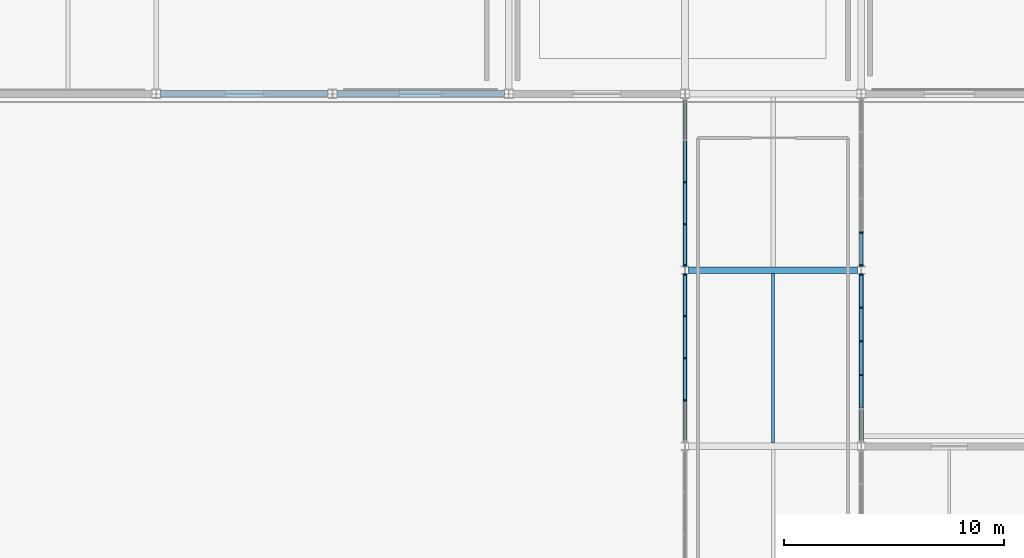
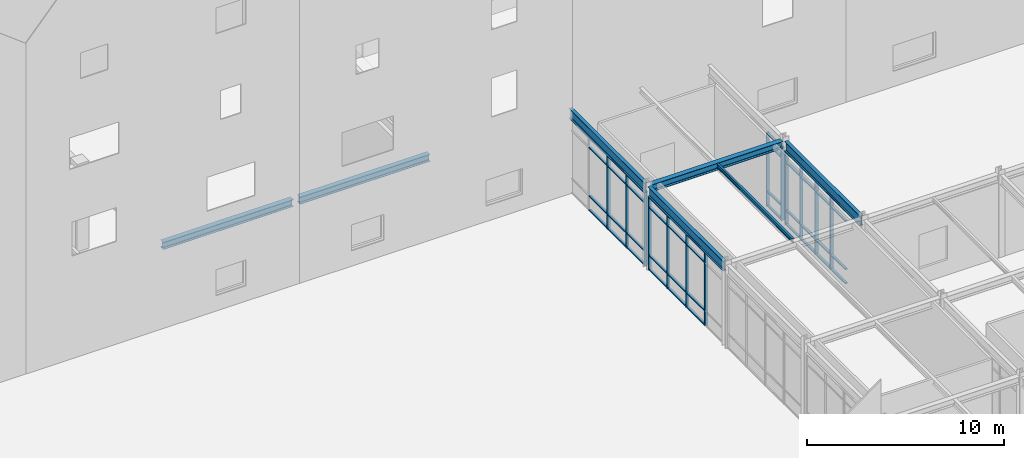
# One storey, part 38 of 119: 56 members, 7 beams, 4 elements without a shape of their own.
"""IFC4 building model written with IfcOpenShell, lengths in metres."""

from ifc_helpers import new_model, si_unit, direction, frame, origin, origin_2d, place, context, subcontext, project, spatial, rectangle, i_section, extrude, material, material_profile, profile_set, type_object, element, aggregate, save


model = new_model("IFC4")

# Units and contexts
model_context = context("Model", 3, precision=1e-05, world=origin(), true_north=direction((0.0, 1.0)))
body_context = subcontext(model_context, "Body", "Model", "MODEL_VIEW")
ifc_project = project(units=[si_unit("LENGTHUNIT", "METRE"), si_unit("AREAUNIT", "SQUARE_METRE"), si_unit("VOLUMEUNIT", "CUBIC_METRE"), si_unit("PLANEANGLEUNIT", "RADIAN"), si_unit("MASSUNIT", "GRAM", prefix="KILO")], contexts=[model_context])

# Site, building, storey
site_placement = place(None, origin())
site = spatial("IfcSite", under=ifc_project, at=site_placement, CompositionType="ELEMENT")
building_placement = place(site_placement, origin())
building = spatial("IfcBuilding", under=site, at=building_placement, Name="Zhaolan Boulevard Law Courts", CompositionType="ELEMENT")
storey_placement = place(building_placement, origin())
storey = spatial("IfcBuildingStorey", under=building, at=storey_placement, Name="L00", CompositionType="ELEMENT", Elevation=0.0)

# Curtain wall, members
ifc_material_1 = material(Name="Thermally broken aluminium and low-E glazing", Category="aluminium")
curtain_wall_type_1 = type_object("IfcCurtainWallType", Name="CURTAIN WALL M22", PredefinedType="USERDEFINED", material=ifc_material_1)
curtain_wall_1_placement = place(storey_placement, origin())
curtain_wall_1 = element("IfcCurtainWall", 1, at=curtain_wall_1_placement, inside=storey, type_object=curtain_wall_type_1, Name="Curtain Wall CW-L00-022", ObjectType="CURTAIN WALL", PredefinedType="USERDEFINED")
ifc_material_2 = material(Name="Fluorocarbon-coated aluminium 6063-T6", Category="aluminium")
ifc_material_profile_1 = material_profile(ifc_material_2, rectangle(XDim=0.179931640625, YDim=0.06494140625, at=origin_2d()), Name="AL65x180")
ifc_profile_set_1 = profile_set([ifc_material_profile_1], Name="Fluorocarbon-coated aluminium 6063-T6")
member_type_1 = type_object("IfcMemberType", Name="CWMULLION 65X180", PredefinedType="MULLION", material=ifc_profile_set_1)
member_1_placement = place(storey_placement, frame((116.0, 53.79052734375, 0.0), z_axis=(0.0, 0.0, 1.0), x_axis=(1.0, 0.0, 0.0)))
member_1 = element("IfcMember", 2, at=member_1_placement, type_object=member_type_1, Name="CW-L00-022 mullion 1", PredefinedType="MULLION", context=body_context, shape_type="SweptSolid", body=[
    extrude(rectangle(XDim=0.179931640625, YDim=0.06494140625, at=origin_2d()), origin(), (0.0, 0.0, 1.0), 4.532958984375),
])
member_2_placement = place(storey_placement, frame((116.0, 51.91162109375, 0.0), z_axis=(0.0, 0.0, 1.0), x_axis=(1.0, 0.0, 0.0)))
member_2 = element("IfcMember", 3, at=member_2_placement, type_object=member_type_1, Name="CW-L00-022 mullion 2", PredefinedType="MULLION", context=body_context, shape_type="SweptSolid", body=[
    extrude(rectangle(XDim=0.179931640625, YDim=0.06494140625, at=origin_2d()), origin(), (0.0, 0.0, 1.0), 4.532958984375),
])
member_3_placement = place(storey_placement, frame((116.0, 50.0, 0.0), z_axis=(0.0, 0.0, 1.0), x_axis=(1.0, 0.0, 0.0)))
member_3 = element("IfcMember", 4, at=member_3_placement, type_object=member_type_1, Name="CW-L00-022 mullion 3", PredefinedType="MULLION", context=body_context, shape_type="SweptSolid", body=[
    extrude(rectangle(XDim=0.179931640625, YDim=0.06494140625, at=origin_2d()), origin(), (0.0, 0.0, 1.0), 4.532958984375),
])
member_4_placement = place(storey_placement, frame((116.0, 48.08837890625, 0.0), z_axis=(0.0, 0.0, 1.0), x_axis=(1.0, 0.0, 0.0)))
member_4 = element("IfcMember", 5, at=member_4_placement, type_object=member_type_1, Name="CW-L00-022 mullion 4", PredefinedType="MULLION", context=body_context, shape_type="SweptSolid", body=[
    extrude(rectangle(XDim=0.179931640625, YDim=0.06494140625, at=origin_2d()), origin(), (0.0, 0.0, 1.0), 4.532958984375),
])

ifc_material_3 = material(Name="Thermally broken aluminium and low-E glazing", Category="aluminium")
curtain_wall_type_2 = type_object("IfcCurtainWallType", Name="CURTAIN WALL M23", PredefinedType="USERDEFINED", material=ifc_material_3)
curtain_wall_2_placement = place(storey_placement, origin())
curtain_wall_2 = element("IfcCurtainWall", 6, at=curtain_wall_2_placement, inside=storey, type_object=curtain_wall_type_2, Name="Curtain Wall CW-L00-023", ObjectType="CURTAIN WALL", PredefinedType="USERDEFINED")
member_5_placement = place(storey_placement, frame((116.0, 57.987548828125, 0.0), z_axis=(0.0, 0.0, 1.0), x_axis=(1.0, 0.0, 0.0)))
member_5 = element("IfcMember", 7, at=member_5_placement, type_object=member_type_1, Name="CW-L00-023 mullion 3", PredefinedType="MULLION", context=body_context, shape_type="SweptSolid", body=[
    extrude(rectangle(XDim=0.179931640625, YDim=0.06494140625, at=origin_2d()), origin(), (0.0, 0.0, 1.0), 4.532958984375),
])
member_6_placement = place(storey_placement, frame((116.0, 56.082275390625, 0.0), z_axis=(0.0, 0.0, 1.0), x_axis=(1.0, 0.0, 0.0)))
member_6 = element("IfcMember", 8, at=member_6_placement, type_object=member_type_1, Name="CW-L00-023 mullion 4", PredefinedType="MULLION", context=body_context, shape_type="SweptSolid", body=[
    extrude(rectangle(XDim=0.179931640625, YDim=0.06494140625, at=origin_2d()), origin(), (0.0, 0.0, 1.0), 4.532958984375),
])
member_7_placement = place(storey_placement, frame((116.0, 54.20947265625, 0.0), z_axis=(0.0, 0.0, 1.0), x_axis=(1.0, 0.0, 0.0)))
member_7 = element("IfcMember", 9, at=member_7_placement, type_object=member_type_1, Name="CW-L00-023 mullion 5", PredefinedType="MULLION", context=body_context, shape_type="SweptSolid", body=[
    extrude(rectangle(XDim=0.179931640625, YDim=0.06494140625, at=origin_2d()), origin(), (0.0, 0.0, 1.0), 4.532958984375),
])

ifc_material_4 = material(Name="Thermally broken aluminium and low-E glazing", Category="aluminium")
curtain_wall_type_3 = type_object("IfcCurtainWallType", Name="CURTAIN WALL M2", PredefinedType="USERDEFINED", material=ifc_material_4)
curtain_wall_3_placement = place(storey_placement, origin())
curtain_wall_3 = element("IfcCurtainWall", 10, at=curtain_wall_3_placement, inside=storey, type_object=curtain_wall_type_3, Name="Curtain Wall CW-L00-026", ObjectType="CURTAIN WALL", PredefinedType="USERDEFINED")
member_8_placement = place(storey_placement, frame((124.0, 49.2353515625, 0.0), z_axis=(0.0, 0.0, 1.0), x_axis=(-1.0, 0.0, 0.0)))
member_8 = element("IfcMember", 11, at=member_8_placement, type_object=member_type_1, Name="CW-L00-026 mullion 3", PredefinedType="MULLION", context=body_context, shape_type="SweptSolid", body=[
    extrude(rectangle(XDim=0.179931640625, YDim=0.06494140625, at=origin_2d()), origin(), (0.0, 0.0, 1.0), 4.532958984375),
])
member_9_placement = place(storey_placement, frame((124.0, 50.7646484375, 0.0), z_axis=(0.0, 0.0, 1.0), x_axis=(-1.0, 0.0, 0.0)))
member_9 = element("IfcMember", 12, at=member_9_placement, type_object=member_type_1, Name="CW-L00-026 mullion 4", PredefinedType="MULLION", context=body_context, shape_type="SweptSolid", body=[
    extrude(rectangle(XDim=0.179931640625, YDim=0.06494140625, at=origin_2d()), origin(), (0.0, 0.0, 1.0), 4.532958984375),
])
member_10_placement = place(storey_placement, frame((124.0, 52.293701171875, 0.0), z_axis=(0.0, 0.0, 1.0), x_axis=(-1.0, 0.0, 0.0)))
member_10 = element("IfcMember", 13, at=member_10_placement, type_object=member_type_1, Name="CW-L00-026 mullion 5", PredefinedType="MULLION", context=body_context, shape_type="SweptSolid", body=[
    extrude(rectangle(XDim=0.179931640625, YDim=0.06494140625, at=origin_2d()), origin(), (0.0, 0.0, 1.0), 4.532958984375),
])
member_11_placement = place(storey_placement, frame((124.0, 53.79052734375, 0.0), z_axis=(0.0, 0.0, 1.0), x_axis=(-1.0, 0.0, 0.0)))
member_11 = element("IfcMember", 14, at=member_11_placement, type_object=member_type_1, Name="CW-L00-026 mullion 6", PredefinedType="MULLION", context=body_context, shape_type="SweptSolid", body=[
    extrude(rectangle(XDim=0.179931640625, YDim=0.06494140625, at=origin_2d()), origin(), (0.0, 0.0, 1.0), 4.532958984375),
])

ifc_material_5 = material(Name="Thermally broken aluminium and low-E glazing", Category="aluminium")
curtain_wall_type_4 = type_object("IfcCurtainWallType", Name="CURTAIN WALL M3", PredefinedType="USERDEFINED", material=ifc_material_5)
curtain_wall_4_placement = place(storey_placement, origin())
curtain_wall_4 = element("IfcCurtainWall", 15, at=curtain_wall_4_placement, inside=storey, type_object=curtain_wall_type_4, Name="Curtain Wall CW-L00-027", ObjectType="CURTAIN WALL", PredefinedType="USERDEFINED")
member_12_placement = place(storey_placement, frame((124.0, 54.20947265625, 0.0), z_axis=(0.0, 0.0, 1.0), x_axis=(-1.0, 0.0, 0.0)))
member_12 = element("IfcMember", 16, at=member_12_placement, type_object=member_type_1, Name="CW-L00-027 mullion 1", PredefinedType="MULLION", context=body_context, shape_type="SweptSolid", body=[
    extrude(rectangle(XDim=0.179931640625, YDim=0.06494140625, at=origin_2d()), origin(), (0.0, 0.0, 1.0), 4.532958984375),
])
member_13_placement = place(storey_placement, frame((124.0, 55.701171875, 0.0), z_axis=(0.0, 0.0, 1.0), x_axis=(-1.0, 0.0, 0.0)))
member_13 = element("IfcMember", 17, at=member_13_placement, type_object=member_type_1, Name="CW-L00-027 mullion 2", PredefinedType="MULLION", context=body_context, shape_type="SweptSolid", body=[
    extrude(rectangle(XDim=0.179931640625, YDim=0.06494140625, at=origin_2d()), origin(), (0.0, 0.0, 1.0), 4.532958984375),
])

# Member
ifc_material_6 = material(Name="Fluorocarbon-coated aluminium 6063-T6", Category="aluminium")
ifc_material_profile_2 = material_profile(ifc_material_6, rectangle(XDim=0.139892578125, YDim=0.06494140625, at=origin_2d()), Name="AL65x140")
ifc_profile_set_2 = profile_set([ifc_material_profile_2], Name="Fluorocarbon-coated aluminium 6063-T6")
member_type_2 = type_object("IfcMemberType", Name="CWTRANSOM 65X140", PredefinedType="USERDEFINED", material=ifc_profile_set_2)
member_14_placement = place(storey_placement, frame((116.0, 53.758056640625, 0.032470703125), z_axis=(0.0, -1.0, 0.0), x_axis=(1.0, 0.0, 0.0)))
member_14 = element("IfcMember", 18, at=member_14_placement, type_object=member_type_2, Name="CW-L00-022 transom 1.1", ObjectType="TRANSOM", PredefinedType="USERDEFINED", context=body_context, shape_type="SweptSolid", body=[
    extrude(rectangle(XDim=0.139892578125, YDim=0.06494140625, at=origin_2d()), origin(), (0.0, 0.0, 1.0), 1.81396484375),
])

member_15_placement = place(storey_placement, frame((116.0, 53.758056640625, 0.89990234375), z_axis=(0.0, -1.0, 0.0), x_axis=(1.0, 0.0, 0.0)))
member_15 = element("IfcMember", 19, at=member_15_placement, type_object=member_type_2, Name="CW-L00-022 transom 1.2", ObjectType="TRANSOM", PredefinedType="USERDEFINED", context=body_context, shape_type="SweptSolid", body=[
    extrude(rectangle(XDim=0.139892578125, YDim=0.06494140625, at=origin_2d()), origin(), (0.0, 0.0, 1.0), 1.81396484375),
])

member_16_placement = place(storey_placement, frame((116.0, 53.758056640625, 3.883056640625), z_axis=(0.0, -1.0, 0.0), x_axis=(1.0, 0.0, 0.0)))
member_16 = element("IfcMember", 20, at=member_16_placement, type_object=member_type_2, Name="CW-L00-022 transom 1.3", ObjectType="TRANSOM", PredefinedType="USERDEFINED", context=body_context, shape_type="SweptSolid", body=[
    extrude(rectangle(XDim=0.139892578125, YDim=0.06494140625, at=origin_2d()), origin(), (0.0, 0.0, 1.0), 1.81396484375),
])

member_17_placement = place(storey_placement, frame((116.0, 53.758056640625, 4.50048828125), z_axis=(0.0, -1.0, 0.0), x_axis=(1.0, 0.0, 0.0)))
member_17 = element("IfcMember", 21, at=member_17_placement, type_object=member_type_2, Name="CW-L00-022 transom 1.4", ObjectType="TRANSOM", PredefinedType="USERDEFINED", context=body_context, shape_type="SweptSolid", body=[
    extrude(rectangle(XDim=0.139892578125, YDim=0.06494140625, at=origin_2d()), origin(), (0.0, 0.0, 1.0), 1.81396484375),
])

member_18_placement = place(storey_placement, frame((116.0, 51.87890625, 0.032470703125), z_axis=(0.0, -1.0, 0.0), x_axis=(1.0, 0.0, 0.0)))
member_18 = element("IfcMember", 22, at=member_18_placement, type_object=member_type_2, Name="CW-L00-022 transom 2.1", ObjectType="TRANSOM", PredefinedType="USERDEFINED", context=body_context, shape_type="SweptSolid", body=[
    extrude(rectangle(XDim=0.139892578125, YDim=0.06494140625, at=origin_2d()), origin(), (0.0, 0.0, 1.0), 1.846435546875),
])

member_19_placement = place(storey_placement, frame((116.0, 51.87890625, 0.89990234375), z_axis=(0.0, -1.0, 0.0), x_axis=(1.0, 0.0, 0.0)))
member_19 = element("IfcMember", 23, at=member_19_placement, type_object=member_type_2, Name="CW-L00-022 transom 2.2", ObjectType="TRANSOM", PredefinedType="USERDEFINED", context=body_context, shape_type="SweptSolid", body=[
    extrude(rectangle(XDim=0.139892578125, YDim=0.06494140625, at=origin_2d()), origin(), (0.0, 0.0, 1.0), 1.846435546875),
])

member_20_placement = place(storey_placement, frame((116.0, 51.87890625, 3.883056640625), z_axis=(0.0, -1.0, 0.0), x_axis=(1.0, 0.0, 0.0)))
member_20 = element("IfcMember", 24, at=member_20_placement, type_object=member_type_2, Name="CW-L00-022 transom 2.3", ObjectType="TRANSOM", PredefinedType="USERDEFINED", context=body_context, shape_type="SweptSolid", body=[
    extrude(rectangle(XDim=0.139892578125, YDim=0.06494140625, at=origin_2d()), origin(), (0.0, 0.0, 1.0), 1.846435546875),
])

member_21_placement = place(storey_placement, frame((116.0, 51.87890625, 4.50048828125), z_axis=(0.0, -1.0, 0.0), x_axis=(1.0, 0.0, 0.0)))
member_21 = element("IfcMember", 25, at=member_21_placement, type_object=member_type_2, Name="CW-L00-022 transom 2.4", ObjectType="TRANSOM", PredefinedType="USERDEFINED", context=body_context, shape_type="SweptSolid", body=[
    extrude(rectangle(XDim=0.139892578125, YDim=0.06494140625, at=origin_2d()), origin(), (0.0, 0.0, 1.0), 1.846435546875),
])

member_22_placement = place(storey_placement, frame((116.0, 49.967529296875, 0.032470703125), z_axis=(0.0, -1.0, 0.0), x_axis=(1.0, 0.0, 0.0)))
member_22 = element("IfcMember", 26, at=member_22_placement, type_object=member_type_2, Name="CW-L00-022 transom 3.1", ObjectType="TRANSOM", PredefinedType="USERDEFINED", context=body_context, shape_type="SweptSolid", body=[
    extrude(rectangle(XDim=0.139892578125, YDim=0.06494140625, at=origin_2d()), origin(), (0.0, 0.0, 1.0), 1.846435546875),
])

member_23_placement = place(storey_placement, frame((116.0, 49.967529296875, 0.89990234375), z_axis=(0.0, -1.0, 0.0), x_axis=(1.0, 0.0, 0.0)))
member_23 = element("IfcMember", 27, at=member_23_placement, type_object=member_type_2, Name="CW-L00-022 transom 3.2", ObjectType="TRANSOM", PredefinedType="USERDEFINED", context=body_context, shape_type="SweptSolid", body=[
    extrude(rectangle(XDim=0.139892578125, YDim=0.06494140625, at=origin_2d()), origin(), (0.0, 0.0, 1.0), 1.846435546875),
])

member_24_placement = place(storey_placement, frame((116.0, 49.967529296875, 3.883056640625), z_axis=(0.0, -1.0, 0.0), x_axis=(1.0, 0.0, 0.0)))
member_24 = element("IfcMember", 28, at=member_24_placement, type_object=member_type_2, Name="CW-L00-022 transom 3.3", ObjectType="TRANSOM", PredefinedType="USERDEFINED", context=body_context, shape_type="SweptSolid", body=[
    extrude(rectangle(XDim=0.139892578125, YDim=0.06494140625, at=origin_2d()), origin(), (0.0, 0.0, 1.0), 1.846435546875),
])

member_25_placement = place(storey_placement, frame((116.0, 49.967529296875, 4.50048828125), z_axis=(0.0, -1.0, 0.0), x_axis=(1.0, 0.0, 0.0)))
member_25 = element("IfcMember", 29, at=member_25_placement, type_object=member_type_2, Name="CW-L00-022 transom 3.4", ObjectType="TRANSOM", PredefinedType="USERDEFINED", context=body_context, shape_type="SweptSolid", body=[
    extrude(rectangle(XDim=0.139892578125, YDim=0.06494140625, at=origin_2d()), origin(), (0.0, 0.0, 1.0), 1.846435546875),
])

aggregate(curtain_wall_1, [member_1, member_2, member_3, member_4, member_14, member_15, member_16, member_17, member_18, member_19, member_20, member_21, member_22, member_23, member_24, member_25])

member_26_placement = place(storey_placement, frame((116.0, 59.8603515625, 0.032470703125), z_axis=(0.0, -1.0, 0.0), x_axis=(1.0, 0.0, 0.0)))
member_26 = element("IfcMember", 30, at=member_26_placement, type_object=member_type_2, Name="CW-L00-023 transom 2.1", ObjectType="TRANSOM", PredefinedType="USERDEFINED", context=body_context, shape_type="SweptSolid", body=[
    extrude(rectangle(XDim=0.139892578125, YDim=0.06494140625, at=origin_2d()), origin(), (0.0, 0.0, 1.0), 1.84033203125),
])

member_27_placement = place(storey_placement, frame((116.0, 59.8603515625, 0.89990234375), z_axis=(0.0, -1.0, 0.0), x_axis=(1.0, 0.0, 0.0)))
member_27 = element("IfcMember", 31, at=member_27_placement, type_object=member_type_2, Name="CW-L00-023 transom 2.2", ObjectType="TRANSOM", PredefinedType="USERDEFINED", context=body_context, shape_type="SweptSolid", body=[
    extrude(rectangle(XDim=0.139892578125, YDim=0.06494140625, at=origin_2d()), origin(), (0.0, 0.0, 1.0), 1.84033203125),
])

member_28_placement = place(storey_placement, frame((116.0, 59.8603515625, 3.883056640625), z_axis=(0.0, -1.0, 0.0), x_axis=(1.0, 0.0, 0.0)))
member_28 = element("IfcMember", 32, at=member_28_placement, type_object=member_type_2, Name="CW-L00-023 transom 2.3", ObjectType="TRANSOM", PredefinedType="USERDEFINED", context=body_context, shape_type="SweptSolid", body=[
    extrude(rectangle(XDim=0.139892578125, YDim=0.06494140625, at=origin_2d()), origin(), (0.0, 0.0, 1.0), 1.84033203125),
])

member_29_placement = place(storey_placement, frame((116.0, 57.955078125, 0.032470703125), z_axis=(0.0, -1.0, 0.0), x_axis=(1.0, 0.0, 0.0)))
member_29 = element("IfcMember", 33, at=member_29_placement, type_object=member_type_2, Name="CW-L00-023 transom 3.1", ObjectType="TRANSOM", PredefinedType="USERDEFINED", context=body_context, shape_type="SweptSolid", body=[
    extrude(rectangle(XDim=0.139892578125, YDim=0.06494140625, at=origin_2d()), origin(), (0.0, 0.0, 1.0), 1.84033203125),
])

member_30_placement = place(storey_placement, frame((116.0, 57.955078125, 0.89990234375), z_axis=(0.0, -1.0, 0.0), x_axis=(1.0, 0.0, 0.0)))
member_30 = element("IfcMember", 34, at=member_30_placement, type_object=member_type_2, Name="CW-L00-023 transom 3.2", ObjectType="TRANSOM", PredefinedType="USERDEFINED", context=body_context, shape_type="SweptSolid", body=[
    extrude(rectangle(XDim=0.139892578125, YDim=0.06494140625, at=origin_2d()), origin(), (0.0, 0.0, 1.0), 1.84033203125),
])

member_31_placement = place(storey_placement, frame((116.0, 57.955078125, 3.883056640625), z_axis=(0.0, -1.0, 0.0), x_axis=(1.0, 0.0, 0.0)))
member_31 = element("IfcMember", 35, at=member_31_placement, type_object=member_type_2, Name="CW-L00-023 transom 3.3", ObjectType="TRANSOM", PredefinedType="USERDEFINED", context=body_context, shape_type="SweptSolid", body=[
    extrude(rectangle(XDim=0.139892578125, YDim=0.06494140625, at=origin_2d()), origin(), (0.0, 0.0, 1.0), 1.84033203125),
])

member_32_placement = place(storey_placement, frame((116.0, 57.955078125, 4.50048828125), z_axis=(0.0, -1.0, 0.0), x_axis=(1.0, 0.0, 0.0)))
member_32 = element("IfcMember", 36, at=member_32_placement, type_object=member_type_2, Name="CW-L00-023 transom 3.4", ObjectType="TRANSOM", PredefinedType="USERDEFINED", context=body_context, shape_type="SweptSolid", body=[
    extrude(rectangle(XDim=0.139892578125, YDim=0.06494140625, at=origin_2d()), origin(), (0.0, 0.0, 1.0), 1.84033203125),
])

member_33_placement = place(storey_placement, frame((116.0, 56.0498046875, 0.032470703125), z_axis=(0.0, -1.0, 0.0), x_axis=(1.0, 0.0, 0.0)))
member_33 = element("IfcMember", 37, at=member_33_placement, type_object=member_type_2, Name="CW-L00-023 transom 4.1", ObjectType="TRANSOM", PredefinedType="USERDEFINED", context=body_context, shape_type="SweptSolid", body=[
    extrude(rectangle(XDim=0.139892578125, YDim=0.06494140625, at=origin_2d()), origin(), (0.0, 0.0, 1.0), 1.807861328125),
])

member_34_placement = place(storey_placement, frame((116.0, 56.0498046875, 0.89990234375), z_axis=(0.0, -1.0, 0.0), x_axis=(1.0, 0.0, 0.0)))
member_34 = element("IfcMember", 38, at=member_34_placement, type_object=member_type_2, Name="CW-L00-023 transom 4.2", ObjectType="TRANSOM", PredefinedType="USERDEFINED", context=body_context, shape_type="SweptSolid", body=[
    extrude(rectangle(XDim=0.139892578125, YDim=0.06494140625, at=origin_2d()), origin(), (0.0, 0.0, 1.0), 1.807861328125),
])

member_35_placement = place(storey_placement, frame((116.0, 56.0498046875, 3.883056640625), z_axis=(0.0, -1.0, 0.0), x_axis=(1.0, 0.0, 0.0)))
member_35 = element("IfcMember", 39, at=member_35_placement, type_object=member_type_2, Name="CW-L00-023 transom 4.3", ObjectType="TRANSOM", PredefinedType="USERDEFINED", context=body_context, shape_type="SweptSolid", body=[
    extrude(rectangle(XDim=0.139892578125, YDim=0.06494140625, at=origin_2d()), origin(), (0.0, 0.0, 1.0), 1.807861328125),
])

member_36_placement = place(storey_placement, frame((116.0, 56.0498046875, 4.50048828125), z_axis=(0.0, -1.0, 0.0), x_axis=(1.0, 0.0, 0.0)))
member_36 = element("IfcMember", 40, at=member_36_placement, type_object=member_type_2, Name="CW-L00-023 transom 4.4", ObjectType="TRANSOM", PredefinedType="USERDEFINED", context=body_context, shape_type="SweptSolid", body=[
    extrude(rectangle(XDim=0.139892578125, YDim=0.06494140625, at=origin_2d()), origin(), (0.0, 0.0, 1.0), 1.807861328125),
])

aggregate(curtain_wall_2, [member_5, member_6, member_7, member_26, member_27, member_28, member_29, member_30, member_31, member_32, member_33, member_34, member_35, member_36])

member_37_placement = place(storey_placement, frame((124.0, 47.73876953125, 0.032470703125), z_axis=(0.0, 1.0, 0.0), x_axis=(-1.0, 0.0, 0.0)))
member_37 = element("IfcMember", 41, at=member_37_placement, type_object=member_type_2, Name="CW-L00-026 transom 2.1", ObjectType="TRANSOM", PredefinedType="USERDEFINED", context=body_context, shape_type="SweptSolid", body=[
    extrude(rectangle(XDim=0.139892578125, YDim=0.06494140625, at=origin_2d()), origin(), (0.0, 0.0, 1.0), 1.464111328125),
])

member_38_placement = place(storey_placement, frame((124.0, 47.73876953125, 0.89990234375), z_axis=(0.0, 1.0, 0.0), x_axis=(-1.0, 0.0, 0.0)))
member_38 = element("IfcMember", 42, at=member_38_placement, type_object=member_type_2, Name="CW-L00-026 transom 2.2", ObjectType="TRANSOM", PredefinedType="USERDEFINED", context=body_context, shape_type="SweptSolid", body=[
    extrude(rectangle(XDim=0.139892578125, YDim=0.06494140625, at=origin_2d()), origin(), (0.0, 0.0, 1.0), 1.464111328125),
])

member_39_placement = place(storey_placement, frame((124.0, 47.73876953125, 3.883056640625), z_axis=(0.0, 1.0, 0.0), x_axis=(-1.0, 0.0, 0.0)))
member_39 = element("IfcMember", 43, at=member_39_placement, type_object=member_type_2, Name="CW-L00-026 transom 2.3", ObjectType="TRANSOM", PredefinedType="USERDEFINED", context=body_context, shape_type="SweptSolid", body=[
    extrude(rectangle(XDim=0.139892578125, YDim=0.06494140625, at=origin_2d()), origin(), (0.0, 0.0, 1.0), 1.464111328125),
])

member_40_placement = place(storey_placement, frame((124.0, 47.73876953125, 4.50048828125), z_axis=(0.0, 1.0, 0.0), x_axis=(-1.0, 0.0, 0.0)))
member_40 = element("IfcMember", 44, at=member_40_placement, type_object=member_type_2, Name="CW-L00-026 transom 2.4", ObjectType="TRANSOM", PredefinedType="USERDEFINED", context=body_context, shape_type="SweptSolid", body=[
    extrude(rectangle(XDim=0.139892578125, YDim=0.06494140625, at=origin_2d()), origin(), (0.0, 0.0, 1.0), 1.464111328125),
])

member_41_placement = place(storey_placement, frame((124.0, 49.267822265625, 0.032470703125), z_axis=(0.0, 1.0, 0.0), x_axis=(-1.0, 0.0, 0.0)))
member_41 = element("IfcMember", 45, at=member_41_placement, type_object=member_type_2, Name="CW-L00-026 transom 3.1", ObjectType="TRANSOM", PredefinedType="USERDEFINED", context=body_context, shape_type="SweptSolid", body=[
    extrude(rectangle(XDim=0.139892578125, YDim=0.06494140625, at=origin_2d()), origin(), (0.0, 0.0, 1.0), 1.46435546875),
])

member_42_placement = place(storey_placement, frame((124.0, 49.267822265625, 0.89990234375), z_axis=(0.0, 1.0, 0.0), x_axis=(-1.0, 0.0, 0.0)))
member_42 = element("IfcMember", 46, at=member_42_placement, type_object=member_type_2, Name="CW-L00-026 transom 3.2", ObjectType="TRANSOM", PredefinedType="USERDEFINED", context=body_context, shape_type="SweptSolid", body=[
    extrude(rectangle(XDim=0.139892578125, YDim=0.06494140625, at=origin_2d()), origin(), (0.0, 0.0, 1.0), 1.46435546875),
])

member_43_placement = place(storey_placement, frame((124.0, 49.267822265625, 3.883056640625), z_axis=(0.0, 1.0, 0.0), x_axis=(-1.0, 0.0, 0.0)))
member_43 = element("IfcMember", 47, at=member_43_placement, type_object=member_type_2, Name="CW-L00-026 transom 3.3", ObjectType="TRANSOM", PredefinedType="USERDEFINED", context=body_context, shape_type="SweptSolid", body=[
    extrude(rectangle(XDim=0.139892578125, YDim=0.06494140625, at=origin_2d()), origin(), (0.0, 0.0, 1.0), 1.46435546875),
])

member_44_placement = place(storey_placement, frame((124.0, 49.267822265625, 4.50048828125), z_axis=(0.0, 1.0, 0.0), x_axis=(-1.0, 0.0, 0.0)))
member_44 = element("IfcMember", 48, at=member_44_placement, type_object=member_type_2, Name="CW-L00-026 transom 3.4", ObjectType="TRANSOM", PredefinedType="USERDEFINED", context=body_context, shape_type="SweptSolid", body=[
    extrude(rectangle(XDim=0.139892578125, YDim=0.06494140625, at=origin_2d()), origin(), (0.0, 0.0, 1.0), 1.46435546875),
])

member_45_placement = place(storey_placement, frame((124.0, 50.797119140625, 0.032470703125), z_axis=(0.0, 1.0, 0.0), x_axis=(-1.0, 0.0, 0.0)))
member_45 = element("IfcMember", 49, at=member_45_placement, type_object=member_type_2, Name="CW-L00-026 transom 4.1", ObjectType="TRANSOM", PredefinedType="USERDEFINED", context=body_context, shape_type="SweptSolid", body=[
    extrude(rectangle(XDim=0.139892578125, YDim=0.06494140625, at=origin_2d()), origin(), (0.0, 0.0, 1.0), 1.464111328125),
])

member_46_placement = place(storey_placement, frame((124.0, 50.797119140625, 0.89990234375), z_axis=(0.0, 1.0, 0.0), x_axis=(-1.0, 0.0, 0.0)))
member_46 = element("IfcMember", 50, at=member_46_placement, type_object=member_type_2, Name="CW-L00-026 transom 4.2", ObjectType="TRANSOM", PredefinedType="USERDEFINED", context=body_context, shape_type="SweptSolid", body=[
    extrude(rectangle(XDim=0.139892578125, YDim=0.06494140625, at=origin_2d()), origin(), (0.0, 0.0, 1.0), 1.464111328125),
])

member_47_placement = place(storey_placement, frame((124.0, 50.797119140625, 3.883056640625), z_axis=(0.0, 1.0, 0.0), x_axis=(-1.0, 0.0, 0.0)))
member_47 = element("IfcMember", 51, at=member_47_placement, type_object=member_type_2, Name="CW-L00-026 transom 4.3", ObjectType="TRANSOM", PredefinedType="USERDEFINED", context=body_context, shape_type="SweptSolid", body=[
    extrude(rectangle(XDim=0.139892578125, YDim=0.06494140625, at=origin_2d()), origin(), (0.0, 0.0, 1.0), 1.464111328125),
])

member_48_placement = place(storey_placement, frame((124.0, 50.797119140625, 4.50048828125), z_axis=(0.0, 1.0, 0.0), x_axis=(-1.0, 0.0, 0.0)))
member_48 = element("IfcMember", 52, at=member_48_placement, type_object=member_type_2, Name="CW-L00-026 transom 4.4", ObjectType="TRANSOM", PredefinedType="USERDEFINED", context=body_context, shape_type="SweptSolid", body=[
    extrude(rectangle(XDim=0.139892578125, YDim=0.06494140625, at=origin_2d()), origin(), (0.0, 0.0, 1.0), 1.464111328125),
])

member_49_placement = place(storey_placement, frame((124.0, 52.326416015625, 0.032470703125), z_axis=(0.0, 1.0, 0.0), x_axis=(-1.0, 0.0, 0.0)))
member_49 = element("IfcMember", 53, at=member_49_placement, type_object=member_type_2, Name="CW-L00-026 transom 5.1", ObjectType="TRANSOM", PredefinedType="USERDEFINED", context=body_context, shape_type="SweptSolid", body=[
    extrude(rectangle(XDim=0.139892578125, YDim=0.06494140625, at=origin_2d()), origin(), (0.0, 0.0, 1.0), 1.431640625),
])

member_50_placement = place(storey_placement, frame((124.0, 52.326416015625, 0.89990234375), z_axis=(0.0, 1.0, 0.0), x_axis=(-1.0, 0.0, 0.0)))
member_50 = element("IfcMember", 54, at=member_50_placement, type_object=member_type_2, Name="CW-L00-026 transom 5.2", ObjectType="TRANSOM", PredefinedType="USERDEFINED", context=body_context, shape_type="SweptSolid", body=[
    extrude(rectangle(XDim=0.139892578125, YDim=0.06494140625, at=origin_2d()), origin(), (0.0, 0.0, 1.0), 1.431640625),
])

member_51_placement = place(storey_placement, frame((124.0, 52.326416015625, 3.883056640625), z_axis=(0.0, 1.0, 0.0), x_axis=(-1.0, 0.0, 0.0)))
member_51 = element("IfcMember", 55, at=member_51_placement, type_object=member_type_2, Name="CW-L00-026 transom 5.3", ObjectType="TRANSOM", PredefinedType="USERDEFINED", context=body_context, shape_type="SweptSolid", body=[
    extrude(rectangle(XDim=0.139892578125, YDim=0.06494140625, at=origin_2d()), origin(), (0.0, 0.0, 1.0), 1.431640625),
])

member_52_placement = place(storey_placement, frame((124.0, 52.326416015625, 4.50048828125), z_axis=(0.0, 1.0, 0.0), x_axis=(-1.0, 0.0, 0.0)))
member_52 = element("IfcMember", 56, at=member_52_placement, type_object=member_type_2, Name="CW-L00-026 transom 5.4", ObjectType="TRANSOM", PredefinedType="USERDEFINED", context=body_context, shape_type="SweptSolid", body=[
    extrude(rectangle(XDim=0.139892578125, YDim=0.06494140625, at=origin_2d()), origin(), (0.0, 0.0, 1.0), 1.431640625),
])

aggregate(curtain_wall_3, [member_8, member_9, member_10, member_11, member_37, member_38, member_39, member_40, member_41, member_42, member_43, member_44, member_45, member_46, member_47, member_48, member_49, member_50, member_51, member_52])

member_53_placement = place(storey_placement, frame((124.0, 54.241943359375, 0.032470703125), z_axis=(0.0, 1.0, 0.0), x_axis=(-1.0, 0.0, 0.0)))
member_53 = element("IfcMember", 57, at=member_53_placement, type_object=member_type_2, Name="CW-L00-027 transom 1.1", ObjectType="TRANSOM", PredefinedType="USERDEFINED", context=body_context, shape_type="SweptSolid", body=[
    extrude(rectangle(XDim=0.139892578125, YDim=0.06494140625, at=origin_2d()), origin(), (0.0, 0.0, 1.0), 1.4267578125),
])

member_54_placement = place(storey_placement, frame((124.0, 54.241943359375, 0.89990234375), z_axis=(0.0, 1.0, 0.0), x_axis=(-1.0, 0.0, 0.0)))
member_54 = element("IfcMember", 58, at=member_54_placement, type_object=member_type_2, Name="CW-L00-027 transom 1.2", ObjectType="TRANSOM", PredefinedType="USERDEFINED", context=body_context, shape_type="SweptSolid", body=[
    extrude(rectangle(XDim=0.139892578125, YDim=0.06494140625, at=origin_2d()), origin(), (0.0, 0.0, 1.0), 1.4267578125),
])

member_55_placement = place(storey_placement, frame((124.0, 54.241943359375, 3.883056640625), z_axis=(0.0, 1.0, 0.0), x_axis=(-1.0, 0.0, 0.0)))
member_55 = element("IfcMember", 59, at=member_55_placement, type_object=member_type_2, Name="CW-L00-027 transom 1.3", ObjectType="TRANSOM", PredefinedType="USERDEFINED", context=body_context, shape_type="SweptSolid", body=[
    extrude(rectangle(XDim=0.139892578125, YDim=0.06494140625, at=origin_2d()), origin(), (0.0, 0.0, 1.0), 1.4267578125),
])

member_56_placement = place(storey_placement, frame((124.0, 54.241943359375, 4.50048828125), z_axis=(0.0, 1.0, 0.0), x_axis=(-1.0, 0.0, 0.0)))
member_56 = element("IfcMember", 60, at=member_56_placement, type_object=member_type_2, Name="CW-L00-027 transom 1.4", ObjectType="TRANSOM", PredefinedType="USERDEFINED", context=body_context, shape_type="SweptSolid", body=[
    extrude(rectangle(XDim=0.139892578125, YDim=0.06494140625, at=origin_2d()), origin(), (0.0, 0.0, 1.0), 1.4267578125),
])

aggregate(curtain_wall_4, [member_12, member_13, member_53, member_54, member_55, member_56])

# Beams
ifc_material_7 = material(Name="Structural steel Q355B", Category="steel")
ifc_material_profile_3 = material_profile(ifc_material_7, i_section(OverallWidth=0.300048828125, OverallDepth=0.43994140625, WebThickness=0.010986328125, FlangeThickness=0.01806640625, FilletRadius=0.02001953125, at=origin_2d()), Name="HM440x300")
ifc_profile_set_3 = profile_set([ifc_material_profile_3], Name="Structural steel Q355B")
beam_type_1 = type_object("IfcBeamType", Name="GIRDER HM440", PredefinedType="BEAM", material=ifc_profile_set_3)
beam_1_placement = place(storey_placement, frame((116.1708984375, 54.0, 4.927978515625), z_axis=(1.0, 0.0, 0.0), x_axis=(0.0, 1.0, 0.0)))
element("IfcBeam", 61, at=beam_1_placement, inside=storey, type_object=beam_type_1, Name="Beam BX-L01-15-16-H", PredefinedType="BEAM", context=body_context, shape_type="SweptSolid", body=[
    extrude(i_section(OverallWidth=0.300048828125, OverallDepth=0.43994140625, WebThickness=0.010986328125, FlangeThickness=0.01806640625, FilletRadius=0.02001953125, at=origin_2d()), origin(), (0.0, 0.0, 1.0), 7.658203125),
])
for number, where, z_axis, x_axis, name in (
    (62, (92.196044921875, 62.0, 4.89794921875), (1.0, 0.0, 0.0), (0.0, 1.0, 0.0), "Beam BX-L01-12-13-J"),
    (63, (100.196044921875, 62.0, 4.89794921875), (1.0, 0.0, 0.0), (0.0, 1.0, 0.0), "Beam BX-L01-13-14-J"),
):
    element("IfcBeam", number, at=place(storey_placement, frame(where, z_axis=z_axis, x_axis=x_axis)), inside=storey, type_object=beam_type_1, Name=name, PredefinedType="BEAM", context=body_context, shape_type="SweptSolid", body=[
        extrude(i_section(OverallWidth=0.300048828125, OverallDepth=0.43994140625, WebThickness=0.010986328125, FlangeThickness=0.01806640625, FilletRadius=0.02001953125, at=origin_2d()), origin(), (0.0, 0.0, 1.0), 7.60791015625),
    ])
ifc_material_8 = material(Name="Structural steel Q355B", Category="steel")
ifc_material_profile_4 = material_profile(ifc_material_8, i_section(OverallWidth=0.199951171875, OverallDepth=0.60009765625, WebThickness=0.010986328125, FlangeThickness=0.01708984375, FilletRadius=0.02001953125, at=origin_2d()), Name="HN600x200")
ifc_profile_set_4 = profile_set([ifc_material_profile_4], Name="Structural steel Q355B")
beam_type_2 = type_object("IfcBeamType", Name="GIRDER HN600", PredefinedType="BEAM", material=ifc_profile_set_4)
beam_2_placement = place(storey_placement, frame((116.0, 46.1708984375, 4.847900390625), z_axis=(0.0, 1.0, 0.0), x_axis=(-1.0, 0.0, 0.0)))
element("IfcBeam", 64, at=beam_2_placement, inside=storey, type_object=beam_type_2, Name="Beam BY-L01-15-G-H", PredefinedType="BEAM", context=body_context, shape_type="SweptSolid", body=[
    extrude(i_section(OverallWidth=0.199951171875, OverallDepth=0.60009765625, WebThickness=0.010986328125, FlangeThickness=0.01708984375, FilletRadius=0.02001953125, at=origin_2d()), origin(), (0.0, 0.0, 1.0), 7.658203125),
])
beam_3_placement = place(storey_placement, frame((116.0, 54.1708984375, 4.847900390625), z_axis=(0.0, 1.0, 0.0), x_axis=(-1.0, 0.0, 0.0)))
element("IfcBeam", 65, at=beam_3_placement, inside=storey, type_object=beam_type_2, Name="Beam BY-L01-15-H-J", PredefinedType="BEAM", context=body_context, shape_type="SweptSolid", body=[
    extrude(i_section(OverallWidth=0.199951171875, OverallDepth=0.60009765625, WebThickness=0.010986328125, FlangeThickness=0.01708984375, FilletRadius=0.02001953125, at=origin_2d()), origin(), (0.0, 0.0, 1.0), 7.633056640625),
])
beam_4_placement = place(storey_placement, frame((124.0, 46.1708984375, 4.847900390625), z_axis=(0.0, 1.0, 0.0), x_axis=(-1.0, 0.0, 0.0)))
element("IfcBeam", 66, at=beam_4_placement, inside=storey, type_object=beam_type_2, Name="Beam BY-L01-16-G-H", PredefinedType="BEAM", context=body_context, shape_type="SweptSolid", body=[
    extrude(i_section(OverallWidth=0.199951171875, OverallDepth=0.60009765625, WebThickness=0.010986328125, FlangeThickness=0.01708984375, FilletRadius=0.02001953125, at=origin_2d()), origin(), (0.0, 0.0, 1.0), 7.658203125),
])
ifc_material_9 = material(Name="Structural steel Q355B", Category="steel")
ifc_material_profile_5 = material_profile(ifc_material_9, i_section(OverallWidth=0.125, OverallDepth=0.25, WebThickness=0.006103515625, FlangeThickness=0.009033203125, FilletRadius=0.010009765625, at=origin_2d()), Name="HN250x125")
ifc_profile_set_5 = profile_set([ifc_material_profile_5], Name="Structural steel Q355B")
beam_type_3 = type_object("IfcBeamType", Name="JOIST HN250", PredefinedType="JOIST", material=ifc_profile_set_5)
beam_5_placement = place(storey_placement, frame((120.0, 46.14599609375, 5.02294921875), z_axis=(0.0, 1.0, 0.0), x_axis=(-1.0, 0.0, 0.0)))
element("IfcBeam", 67, at=beam_5_placement, inside=storey, type_object=beam_type_3, Name="Composite Joist J-L01-15G", PredefinedType="JOIST", context=body_context, shape_type="SweptSolid", body=[
    extrude(i_section(OverallWidth=0.125, OverallDepth=0.25, WebThickness=0.006103515625, FlangeThickness=0.009033203125, FilletRadius=0.010009765625, at=origin_2d()), origin(), (0.0, 0.0, 1.0), 7.7080078125),
])

save(model, "model.ifc")
